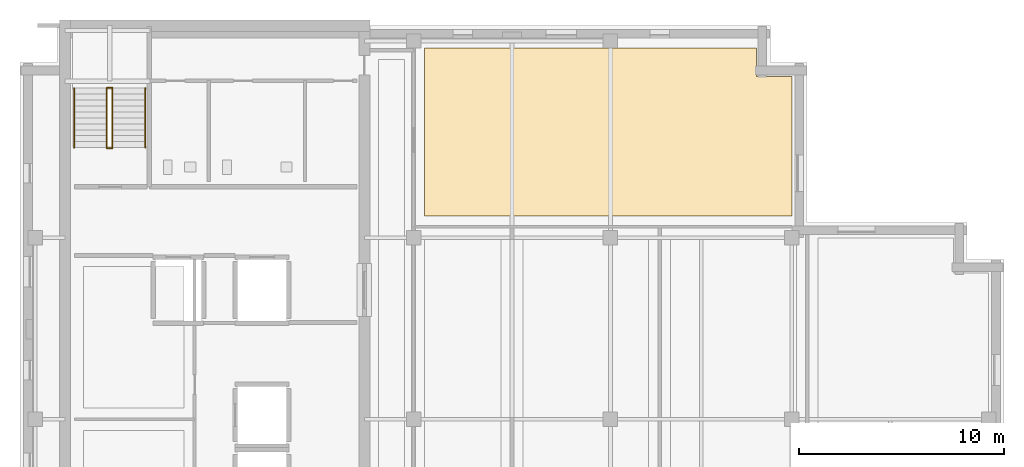
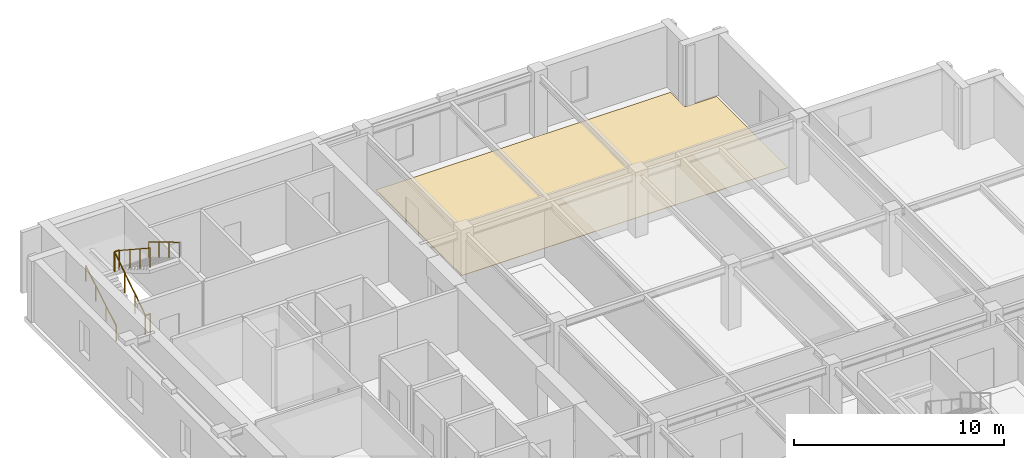
# One storey, part 10 of 11: 6 railings, 1 covering.
"""IFC4 building model written with IfcOpenShell, lengths in metres."""

from ifc_helpers import new_model, si_unit, direction, frame, origin, origin_2d, place, context, subcontext, project, spatial, polyline, circle, outline, extrude, material, layer, layer_set, type_object, element, save


model = new_model("IFC4")

# Units and contexts
model_context = context("Model", 3, precision=1e-05, world=origin(), true_north=direction((0.0, 1.0)))
body_context = subcontext(model_context, "Body", "Model", "MODEL_VIEW")
ifc_project = project(units=[si_unit("LENGTHUNIT", "METRE"), si_unit("AREAUNIT", "SQUARE_METRE"), si_unit("VOLUMEUNIT", "CUBIC_METRE"), si_unit("PLANEANGLEUNIT", "RADIAN"), si_unit("MASSUNIT", "GRAM", prefix="KILO")], contexts=[model_context])

# Site, building, storey
site_placement = place(None, origin())
site = spatial("IfcSite", under=ifc_project, at=site_placement, CompositionType="ELEMENT")
building_placement = place(site_placement, origin())
building = spatial("IfcBuilding", under=site, at=building_placement, Name="Norrvale University Quadrangle", CompositionType="ELEMENT")
storey_placement = place(building_placement, frame((0.0, 0.0, 288.60009765625)))
storey = spatial("IfcBuildingStorey", under=building, at=storey_placement, Name="L73", CompositionType="ELEMENT", Elevation=288.60009765625)

# Covering
ifc_material_1 = material(Name="Polished Terrazzo Flooring")
ifc_layer = layer(ifc_material_1, 0.02490234375, Name="Polished Terrazzo Flooring")
ifc_layer_set = layer_set([ifc_layer], Name="Polished Terrazzo Flooring")
covering_type = type_object("IfcCoveringType", Name="Covering Terrazzo Floor 30", PredefinedType="FLOORING", material=ifc_layer_set)
covering_placement = place(storey_placement, origin())
element("IfcCovering", 1, at=covering_placement, inside=storey, type_object=covering_type, Name="Terrazzo Flooring RM-L73-NE01", PredefinedType="FLOORING", context=body_context, shape_type="SweptSolid", body=[
    extrude(outline(polyline([(37.64990234375, 38.7099609375), (19.72998046875, 38.7099609375), (19.72998046875, 46.919921875), (35.929931640625, 46.919921875), (35.929931640625, 45.530029296875), (37.64990234375, 45.530029296875), (37.64990234375, 38.7099609375)])), origin(), (0.0, 0.0, 1.0), 0.02490234375),
])

# Railings
ifc_material_2 = material(Name="Steel 350W Painted Balustrade", Category="steel")
railing_type_1 = type_object("IfcRailingType", Name="Railing Stair Guard 1100", PredefinedType="GUARDRAIL", material=ifc_material_2)
for number, where, name in (
    (2, (4.239990234375, 42.02001953125, 0.0), "Stair Floor Well Guard ST-02 L73"),
    (3, (4.239990234375, 44.97998046875, 1.89990234375), "Stair Mid-Landing Slot Guard ST-02 L73"),
):
    element("IfcRailing", number, at=place(storey_placement, frame(where)), inside=storey, type_object=railing_type_1, Name=name, PredefinedType="GUARDRAIL", context=body_context, shape_type="SweptSolid", body=[
        extrude(circle(Radius=0.02392578125, at=origin_2d()), frame((0.0, 0.0, 1.1259765625), z_axis=(1.0, 0.0, 0.0), x_axis=(0.0, 1.0, 0.0)), (0.0, 0.0, 1.0), 0.27001953125),
        extrude(circle(Radius=0.02099609375, at=origin_2d()), origin(), (0.0, 0.0, 1.0), 1.101806640625),
        extrude(circle(Radius=0.02099609375, at=origin_2d()), frame((0.27001953125, 0.0, 0.0)), (0.0, 0.0, 1.0), 1.101806640625),
    ])
railing_1_placement = place(storey_placement, frame((4.239990234375, 42.050048828125, 0.0)))
element("IfcRailing", 4, at=railing_1_placement, inside=storey, type_object=railing_type_1, Name="Stair Lower Flight Inner Guard ST-02 L73", PredefinedType="GUARDRAIL", context=body_context, shape_type="SweptSolid", body=[
    extrude(circle(Radius=0.02392578125, at=origin_2d()), frame((0.0, 0.0, 1.1259765625), z_axis=(0.0, 0.836465582154, 0.548019461216), x_axis=(-1.0, 0.0, 0.0)), (0.0, 0.0, 1.0), 3.466796875),
    extrude(circle(Radius=0.02099609375, at=origin_2d()), origin(), (0.0, 0.0, 1.0), 1.101806640625),
    extrude(circle(Radius=0.02099609375, at=origin_2d()), frame((0.0, 0.966552734375, 0.63330078125)), (0.0, 0.0, 1.0), 1.101806640625),
    extrude(circle(Radius=0.02099609375, at=origin_2d()), frame((0.0, 1.933349609375, 1.2666015625)), (0.0, 0.0, 1.0), 1.101806640625),
    extrude(circle(Radius=0.02099609375, at=origin_2d()), frame((0.0, 2.89990234375, 1.89990234375)), (0.0, 0.0, 1.0), 1.101806640625),
])
railing_2_placement = place(storey_placement, frame((4.510009765625, 44.949951171875, 1.89990234375)))
element("IfcRailing", 5, at=railing_2_placement, inside=storey, type_object=railing_type_1, Name="Stair Upper Flight Inner Guard ST-02 L73", PredefinedType="GUARDRAIL", context=body_context, shape_type="SweptSolid", body=[
    extrude(circle(Radius=0.02392578125, at=origin_2d()), frame((0.0, 0.0, 1.1259765625), z_axis=(0.0, -0.836465582154, 0.548019461216), x_axis=(1.0, 0.0, 0.0)), (0.0, 0.0, 1.0), 3.466796875),
    extrude(circle(Radius=0.02099609375, at=origin_2d()), origin(), (0.0, 0.0, 1.0), 1.101806640625),
    extrude(circle(Radius=0.02099609375, at=origin_2d()), frame((0.0, -0.966552734375, 0.63330078125)), (0.0, 0.0, 1.0), 1.101806640625),
    extrude(circle(Radius=0.02099609375, at=origin_2d()), frame((0.0, -1.933349609375, 1.2666015625)), (0.0, 0.0, 1.0), 1.101806640625),
    extrude(circle(Radius=0.02099609375, at=origin_2d()), frame((0.0, -2.89990234375, 1.89990234375)), (0.0, 0.0, 1.0), 1.101806640625),
])
ifc_material_3 = material(Name="Stainless Steel 316L Handrail", Category="steel")
railing_type_2 = type_object("IfcRailingType", Name="Railing Stair Handrail 920", PredefinedType="HANDRAIL", material=ifc_material_3)
railing_3_placement = place(storey_placement, frame((2.639892578125, 42.050048828125, 0.172607421875)))
element("IfcRailing", 6, at=railing_3_placement, inside=storey, type_object=railing_type_2, Name="Stair Lower Flight Handrail ST-02 L73", PredefinedType="HANDRAIL", context=body_context, shape_type="SweptSolid", body=[
    extrude(circle(Radius=0.02392578125, at=origin_2d()), frame((0.0, 0.0, 0.89599609375), z_axis=(0.0, 0.859141464434, 0.511738159696), x_axis=(-1.0, 0.0, 0.0)), (0.0, 0.0, 1.0), 3.375244140625),
    extrude(circle(Radius=0.02099609375, at=origin_2d()), origin(), (0.0, 0.0, 1.0), 0.871826171875),
    extrude(circle(Radius=0.02099609375, at=origin_2d()), frame((0.0, 0.966552734375, 0.57568359375)), (0.0, 0.0, 1.0), 0.871826171875),
    extrude(circle(Radius=0.02099609375, at=origin_2d()), frame((0.0, 1.933349609375, 1.151611328125)), (0.0, 0.0, 1.0), 0.871826171875),
    extrude(circle(Radius=0.02099609375, at=origin_2d()), frame((0.0, 2.89990234375, 1.727294921875)), (0.0, 0.0, 1.0), 0.871826171875),
])
railing_4_placement = place(storey_placement, frame((6.110107421875, 44.949951171875, 2.072509765625)))
element("IfcRailing", 7, at=railing_4_placement, inside=storey, type_object=railing_type_2, Name="Stair Upper Flight Handrail ST-02 L73", PredefinedType="HANDRAIL", context=body_context, shape_type="SweptSolid", body=[
    extrude(circle(Radius=0.02392578125, at=origin_2d()), frame((0.0, 0.0, 0.89599609375), z_axis=(0.0, -0.859141464434, 0.511738159696), x_axis=(1.0, 0.0, 0.0)), (0.0, 0.0, 1.0), 3.375244140625),
    extrude(circle(Radius=0.02099609375, at=origin_2d()), origin(), (0.0, 0.0, 1.0), 0.871826171875),
    extrude(circle(Radius=0.02099609375, at=origin_2d()), frame((0.0, -0.966552734375, 0.57568359375)), (0.0, 0.0, 1.0), 0.871826171875),
    extrude(circle(Radius=0.02099609375, at=origin_2d()), frame((0.0, -1.933349609375, 1.151611328125)), (0.0, 0.0, 1.0), 0.871826171875),
    extrude(circle(Radius=0.02099609375, at=origin_2d()), frame((0.0, -2.89990234375, 1.727294921875)), (0.0, 0.0, 1.0), 0.871826171875),
])

save(model, "model.ifc")
